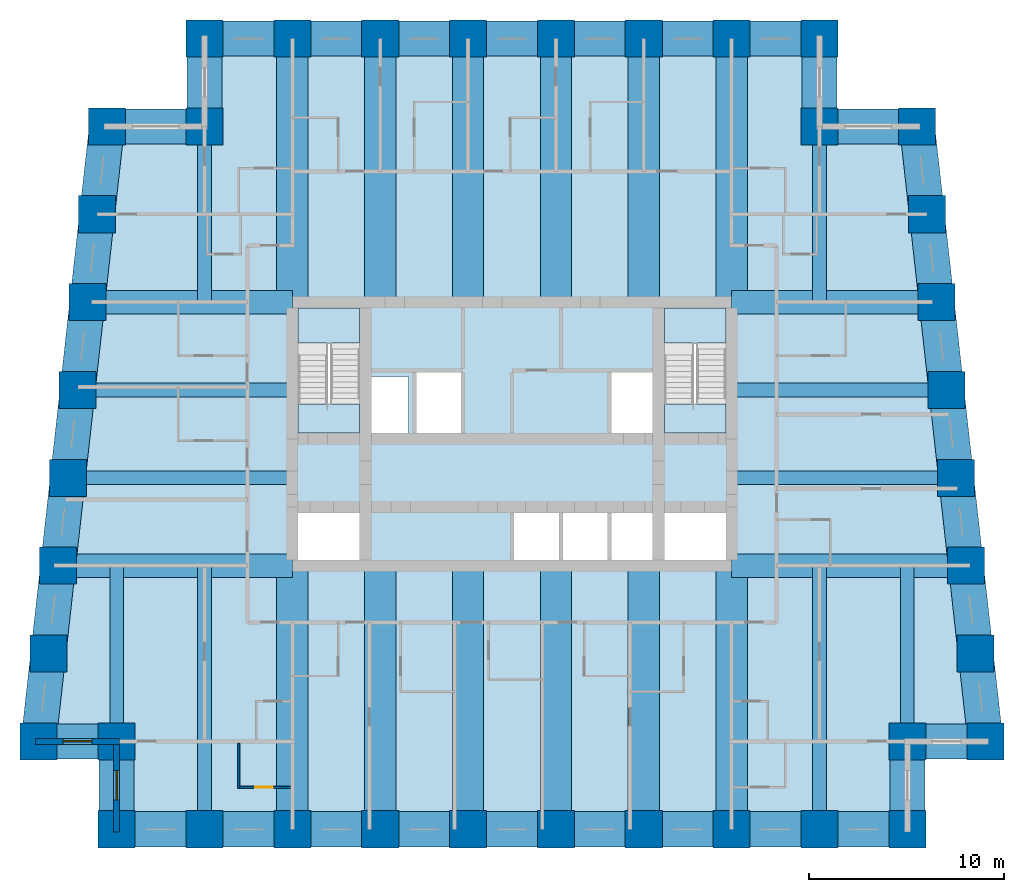
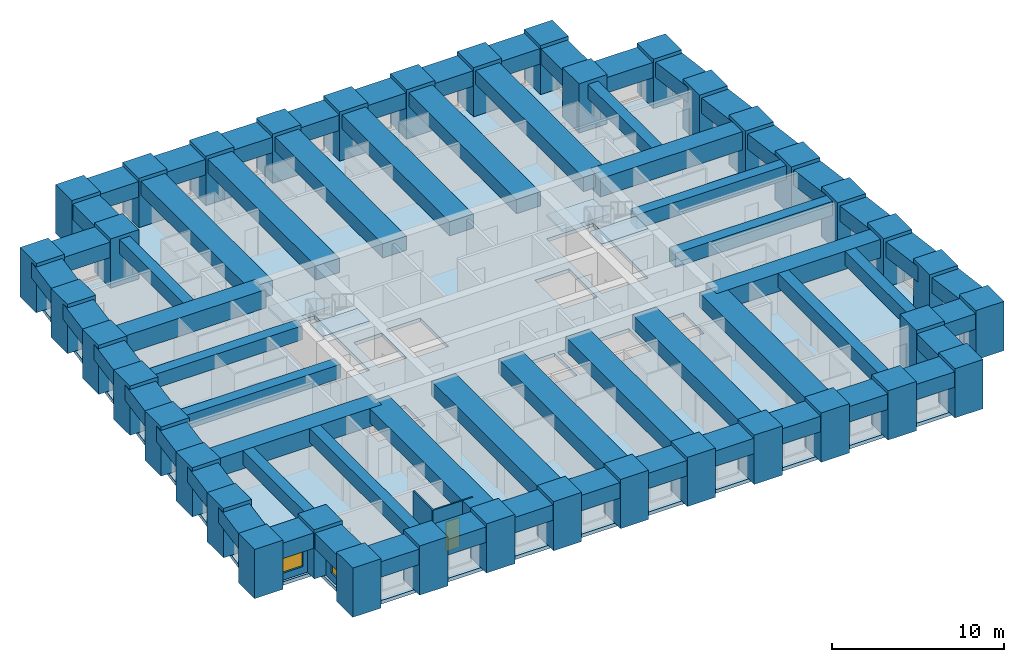
# One storey, part 1 of 8: 64 beams, 38 columns, 5 slabs, 4 walls, 2 windows, 1 door, 3 openings, 2 elements without a shape of their own.
"""IFC4 building model written with IfcOpenShell, lengths in metres."""

from ifc_helpers import new_model, si_unit, direction, frame, frame_2d, origin, origin_2d, place, context, subcontext, project, spatial, polyline, rectangle, outline, extrude, material, layer, layer_set, material_profile, profile_set, type_object, element, fill, aggregate, save


model = new_model("IFC4")

# Units and contexts
model_context = context("Model", 3, precision=1e-05, world=origin(), true_north=direction((0.0, 1.0)))
body_context = subcontext(model_context, "Body", "Model", "MODEL_VIEW")
ifc_project = project(units=[si_unit("LENGTHUNIT", "METRE"), si_unit("AREAUNIT", "SQUARE_METRE"), si_unit("VOLUMEUNIT", "CUBIC_METRE"), si_unit("PLANEANGLEUNIT", "RADIAN"), si_unit("MASSUNIT", "GRAM", prefix="KILO")], contexts=[model_context])

# Site, building, storey
site_placement = place(None, origin())
site = spatial("IfcSite", under=ifc_project, at=site_placement, CompositionType="ELEMENT")
building_placement = place(site_placement, origin())
building = spatial("IfcBuilding", under=site, at=building_placement, Name="Kilele Tower Hotel", CompositionType="ELEMENT")
storey_placement = place(building_placement, frame((0.0, 0.0, 131.89990234375)))
storey = spatial("IfcBuildingStorey", under=building, at=storey_placement, Name="L34", CompositionType="ELEMENT", Elevation=131.89990234375)

# Columns
ifc_material_1 = material(Name="Concrete C70/85", Category="concrete")
ifc_material_profile_1 = material_profile(ifc_material_1, rectangle(XDim=1.89990234375, YDim=1.89990234375, at=origin_2d()))
ifc_profile_set_1 = profile_set([ifc_material_profile_1], Name="Concrete C70/85")
column_type = type_object("IfcColumnType", Name="Tube column RC 1900x1900 C70/85", PredefinedType="COLUMN", material=ifc_profile_set_1)
for number, where, z_axis, x_axis, name in (
    (1, (0.5, 4.5, 0.0), (0.0, 0.0, 1.0), (1.0, 0.0, 0.0), "Column TC2 L34"),
    (2, (4.5, 4.5, 0.0), (0.0, 0.0, 1.0), (1.0, 0.0, 0.0), "Column TC2 L34"),
    (3, (4.5, 0.0, 0.0), (0.0, 0.0, 1.0), (1.0, 0.0, 0.0), "Column TC2 L34"),
    (4, (9.0, 0.0, 0.0), (0.0, 0.0, 1.0), (1.0, 0.0, 0.0), "Column TC2 L34"),
    (5, (13.5, 0.0, 0.0), (0.0, 0.0, 1.0), (1.0, 0.0, 0.0), "Column TC2 L34"),
    (6, (18.0, 0.0, 0.0), (0.0, 0.0, 1.0), (1.0, 0.0, 0.0), "Column TC2 L34"),
    (7, (22.5, 0.0, 0.0), (0.0, 0.0, 1.0), (1.0, 0.0, 0.0), "Column TC2 L34"),
    (8, (27.0, 0.0, 0.0), (0.0, 0.0, 1.0), (1.0, 0.0, 0.0), "Column TC2 L34"),
    (9, (31.5, 0.0, 0.0), (0.0, 0.0, 1.0), (1.0, 0.0, 0.0), "Column TC2 L34"),
    (10, (36.0, 0.0, 0.0), (0.0, 0.0, 1.0), (1.0, 0.0, 0.0), "Column TC2 L34"),
    (11, (40.5, 0.0, 0.0), (0.0, 0.0, 1.0), (1.0, 0.0, 0.0), "Column TC2 L34"),
    (12, (45.0, 0.0, 0.0), (0.0, 0.0, 1.0), (1.0, 0.0, 0.0), "Column TC2 L34"),
    (13, (45.0, 4.5, 0.0), (0.0, 0.0, 1.0), (1.0, 0.0, 0.0), "Column TC2 L34"),
    (14, (49.0, 4.5, 0.0), (0.0, 0.0, 1.0), (1.0, 0.0, 0.0), "Column TC2 L34"),
    (15, (48.5, 9.0, 0.0), (0.0, 0.0, 1.0), (1.0, 0.0, 0.0), "Column TC2 L34"),
    (16, (48.0, 13.5, 0.0), (0.0, 0.0, 1.0), (1.0, 0.0, 0.0), "Column TC2 L34"),
    (17, (47.5, 18.0, 0.0), (0.0, 0.0, 1.0), (1.0, 0.0, 0.0), "Column TC2 L34"),
    (18, (47.0, 22.5, 0.0), (0.0, 0.0, 1.0), (1.0, 0.0, 0.0), "Column TC2 L34"),
    (19, (46.5, 27.0, 0.0), (0.0, 0.0, 1.0), (1.0, 0.0, 0.0), "Column TC2 L34"),
    (20, (46.0, 31.5, 0.0), (0.0, 0.0, 1.0), (1.0, 0.0, 0.0), "Column TC2 L34"),
    (21, (45.5, 36.0, 0.0), (0.0, 0.0, 1.0), (1.0, 0.0, 0.0), "Column TC2 L34"),
    (22, (40.5, 36.0, 0.0), (0.0, 0.0, 1.0), (1.0, 0.0, 0.0), "Column TC2 L34"),
    (23, (40.5, 40.5, 0.0), (0.0, 0.0, 1.0), (1.0, 0.0, 0.0), "Column TC2 L34"),
    (24, (36.0, 40.5, 0.0), (0.0, 0.0, 1.0), (1.0, 0.0, 0.0), "Column TC2 L34"),
    (25, (31.5, 40.5, 0.0), (0.0, 0.0, 1.0), (1.0, 0.0, 0.0), "Column TC2 L34"),
    (26, (27.0, 40.5, 0.0), (0.0, 0.0, 1.0), (1.0, 0.0, 0.0), "Column TC2 L34"),
    (27, (22.5, 40.5, 0.0), (0.0, 0.0, 1.0), (1.0, 0.0, 0.0), "Column TC2 L34"),
    (28, (18.0, 40.5, 0.0), (0.0, 0.0, 1.0), (1.0, 0.0, 0.0), "Column TC2 L34"),
    (29, (13.5, 40.5, 0.0), (0.0, 0.0, 1.0), (1.0, 0.0, 0.0), "Column TC2 L34"),
    (30, (9.0, 40.5, 0.0), (0.0, 0.0, 1.0), (1.0, 0.0, 0.0), "Column TC2 L34"),
    (31, (9.0, 36.0, 0.0), (0.0, 0.0, 1.0), (1.0, 0.0, 0.0), "Column TC2 L34"),
    (32, (4.0, 36.0, 0.0), (0.0, 0.0, 1.0), (1.0, 0.0, 0.0), "Column TC2 L34"),
    (33, (3.5, 31.5, 0.0), (0.0, 0.0, 1.0), (1.0, 0.0, 0.0), "Column TC2 L34"),
    (34, (3.0, 27.0, 0.0), (0.0, 0.0, 1.0), (1.0, 0.0, 0.0), "Column TC2 L34"),
    (35, (2.5, 22.5, 0.0), (0.0, 0.0, 1.0), (1.0, 0.0, 0.0), "Column TC2 L34"),
    (36, (2.0, 18.0, 0.0), (0.0, 0.0, 1.0), (1.0, 0.0, 0.0), "Column TC2 L34"),
    (37, (1.5, 13.5, 0.0), (0.0, 0.0, 1.0), (1.0, 0.0, 0.0), "Column TC2 L34"),
    (38, (1.0, 9.0, 0.0), (0.0, 0.0, 1.0), (1.0, 0.0, 0.0), "Column TC2 L34"),
):
    element("IfcColumn", number, at=place(storey_placement, frame(where, z_axis=z_axis, x_axis=x_axis)), inside=storey, type_object=column_type, Name=name, PredefinedType="COLUMN", context=body_context, shape_type="SweptSolid", body=[
        extrude(rectangle(XDim=1.89990234375, YDim=1.89990234375, at=origin_2d()), origin(), (0.0, 0.0, 1.0), 3.5),
    ])

# Beams
ifc_material_2 = material(Name="Concrete C60/75", Category="concrete")
ifc_material_profile_2 = material_profile(ifc_material_2, rectangle(XDim=1.60009765625, YDim=1.0, at=origin_2d()))
ifc_profile_set_2 = profile_set([ifc_material_profile_2], Name="Concrete C60/75")
beam_type_1 = type_object("IfcBeamType", Name="Beam RC 1600x1000 C60/75", PredefinedType="BEAM", material=ifc_profile_set_2)
for number, where, z_axis, x_axis, name in (
    (39, (13.5, 0.0, 2.75), (0.0, 1.0, 0.0), (-1.0, 0.0, 0.0), "Beam BC1 level L35"),
    (40, (18.0, 0.0, 2.75), (0.0, 1.0, 0.0), (-1.0, 0.0, 0.0), "Beam BC1 level L35"),
    (41, (22.5, 0.0, 2.75), (0.0, 1.0, 0.0), (-1.0, 0.0, 0.0), "Beam BC1 level L35"),
    (42, (27.0, 0.0, 2.75), (0.0, 1.0, 0.0), (-1.0, 0.0, 0.0), "Beam BC1 level L35"),
    (43, (31.5, 0.0, 2.75), (0.0, 1.0, 0.0), (-1.0, 0.0, 0.0), "Beam BC1 level L35"),
    (44, (36.0, 0.0, 2.75), (0.0, 1.0, 0.0), (-1.0, 0.0, 0.0), "Beam BC1 level L35"),
    (45, (36.0, 40.5, 2.75), (0.0, -1.0, 0.0), (1.0, 0.0, 0.0), "Beam BC1 level L35"),
    (46, (31.5, 40.5, 2.75), (0.0, -1.0, 0.0), (1.0, 0.0, 0.0), "Beam BC1 level L35"),
    (47, (27.0, 40.5, 2.75), (0.0, -1.0, 0.0), (1.0, 0.0, 0.0), "Beam BC1 level L35"),
    (48, (22.5, 40.5, 2.75), (0.0, -1.0, 0.0), (1.0, 0.0, 0.0), "Beam BC1 level L35"),
    (49, (18.0, 40.5, 2.75), (0.0, -1.0, 0.0), (1.0, 0.0, 0.0), "Beam BC1 level L35"),
    (50, (13.5, 40.5, 2.75), (0.0, -1.0, 0.0), (1.0, 0.0, 0.0), "Beam BC1 level L35"),
):
    element("IfcBeam", number, at=place(storey_placement, frame(where, z_axis=z_axis, x_axis=x_axis)), inside=storey, type_object=beam_type_1, Name=name, PredefinedType="BEAM", context=body_context, shape_type="SweptSolid", body=[
        extrude(rectangle(XDim=1.60009765625, YDim=1.0, at=origin_2d()), origin(), (0.0, 0.0, 1.0), 13.5),
    ])
ifc_material_3 = material(Name="Concrete C60/75", Category="concrete")
ifc_material_profile_3 = material_profile(ifc_material_3, rectangle(XDim=0.699951171875, YDim=1.0, at=origin_2d()))
ifc_profile_set_3 = profile_set([ifc_material_profile_3], Name="Concrete C60/75")
beam_type_2 = type_object("IfcBeamType", Name="Beam RC 700x1000 C60/75", PredefinedType="BEAM", material=ifc_profile_set_3)
for number, where, z_axis, x_axis, name in (
    (51, (9.0, 0.0, 2.75), (0.0, 1.0, 0.0), (-1.0, 0.0, 0.0), "Beam B4 level L35"),
    (52, (40.5, 0.0, 2.75), (0.0, 1.0, 0.0), (-1.0, 0.0, 0.0), "Beam B4 level L35"),
):
    element("IfcBeam", number, at=place(storey_placement, frame(where, z_axis=z_axis, x_axis=x_axis)), inside=storey, type_object=beam_type_2, Name=name, PredefinedType="BEAM", context=body_context, shape_type="SweptSolid", body=[
        extrude(rectangle(XDim=0.699951171875, YDim=1.0, at=origin_2d()), origin(), (0.0, 0.0, 1.0), 13.5),
    ])
ifc_material_4 = material(Name="Concrete C60/75", Category="concrete")
ifc_material_profile_4 = material_profile(ifc_material_4, rectangle(XDim=0.699951171875, YDim=1.0, at=origin_2d()))
ifc_profile_set_4 = profile_set([ifc_material_profile_4], Name="Concrete C60/75")
beam_type_3 = type_object("IfcBeamType", Name="Beam RC 700x1000 C60/75 mid span", PredefinedType="BEAM", material=ifc_profile_set_4)
for number, where, z_axis, x_axis, name in (
    (53, (4.5, 4.5, 2.75), (0.0, 1.0, 0.0), (-1.0, 0.0, 0.0), "Beam B5 level L35"),
    (54, (45.0, 4.5, 2.75), (0.0, 1.0, 0.0), (-1.0, 0.0, 0.0), "Beam B5 level L35"),
):
    element("IfcBeam", number, at=place(storey_placement, frame(where, z_axis=z_axis, x_axis=x_axis)), inside=storey, type_object=beam_type_3, Name=name, PredefinedType="BEAM", context=body_context, shape_type="SweptSolid", body=[
        extrude(rectangle(XDim=0.699951171875, YDim=1.0, at=origin_2d()), origin(), (0.0, 0.0, 1.0), 9.0),
    ])
beam_1_placement = place(storey_placement, frame((47.5, 18.0, 2.75), z_axis=(-1.0, 0.0, 0.0), x_axis=(0.0, -1.0, 0.0)))
element("IfcBeam", 55, at=beam_1_placement, inside=storey, type_object=beam_type_3, Name="Beam B5 level L35", PredefinedType="BEAM", context=body_context, shape_type="SweptSolid", body=[
    extrude(rectangle(XDim=0.699951171875, YDim=1.0, at=origin_2d()), origin(), (0.0, 0.0, 1.0), 11.5),
])
beam_2_placement = place(storey_placement, frame((47.0, 22.5, 2.75), z_axis=(-1.0, 0.0, 0.0), x_axis=(0.0, -1.0, 0.0)))
element("IfcBeam", 56, at=beam_2_placement, inside=storey, type_object=beam_type_3, Name="Beam B5 level L35", PredefinedType="BEAM", context=body_context, shape_type="SweptSolid", body=[
    extrude(rectangle(XDim=0.699951171875, YDim=1.0, at=origin_2d()), origin(), (0.0, 0.0, 1.0), 11.0),
])
for number, where, z_axis, x_axis, name in (
    (57, (40.5, 36.0, 2.75), (0.0, -1.0, 0.0), (1.0, 0.0, 0.0), "Beam B5 level L35"),
    (58, (9.0, 36.0, 2.75), (0.0, -1.0, 0.0), (1.0, 0.0, 0.0), "Beam B5 level L35"),
):
    element("IfcBeam", number, at=place(storey_placement, frame(where, z_axis=z_axis, x_axis=x_axis)), inside=storey, type_object=beam_type_3, Name=name, PredefinedType="BEAM", context=body_context, shape_type="SweptSolid", body=[
        extrude(rectangle(XDim=0.699951171875, YDim=1.0, at=origin_2d()), origin(), (0.0, 0.0, 1.0), 9.0),
    ])
beam_3_placement = place(storey_placement, frame((2.5, 22.5, 2.75), z_axis=(1.0, 0.0, 0.0), x_axis=(0.0, 1.0, 0.0)))
element("IfcBeam", 59, at=beam_3_placement, inside=storey, type_object=beam_type_3, Name="Beam B5 level L35", PredefinedType="BEAM", context=body_context, shape_type="SweptSolid", body=[
    extrude(rectangle(XDim=0.699951171875, YDim=1.0, at=origin_2d()), origin(), (0.0, 0.0, 1.0), 11.0),
])
beam_4_placement = place(storey_placement, frame((2.0, 18.0, 2.75), z_axis=(1.0, 0.0, 0.0), x_axis=(0.0, 1.0, 0.0)))
element("IfcBeam", 60, at=beam_4_placement, inside=storey, type_object=beam_type_3, Name="Beam B5 level L35", PredefinedType="BEAM", context=body_context, shape_type="SweptSolid", body=[
    extrude(rectangle(XDim=0.699951171875, YDim=1.0, at=origin_2d()), origin(), (0.0, 0.0, 1.0), 11.5),
])
ifc_material_5 = material(Name="Concrete C60/75", Category="concrete")
ifc_material_profile_5 = material_profile(ifc_material_5, rectangle(XDim=1.199951171875, YDim=1.300048828125, at=origin_2d()))
ifc_profile_set_5 = profile_set([ifc_material_profile_5], Name="Concrete C60/75")
beam_type_4 = type_object("IfcBeamType", Name="Girder RC 1200x1300 C60/75", PredefinedType="BEAM", material=ifc_profile_set_5)
for number, where, z_axis, x_axis, name in (
    (61, (48.0, 13.5, 2.60009765625), (-1.0, 0.0, 0.0), (0.0, -1.0, 0.0), "Girder G1 level L35"),
    (62, (1.5, 13.5, 2.60009765625), (1.0, 0.0, 0.0), (0.0, 1.0, 0.0), "Girder G1 level L35"),
):
    element("IfcBeam", number, at=place(storey_placement, frame(where, z_axis=z_axis, x_axis=x_axis)), inside=storey, type_object=beam_type_4, Name=name, PredefinedType="BEAM", context=body_context, shape_type="SweptSolid", body=[
        extrude(rectangle(XDim=1.199951171875, YDim=1.300048828125, at=origin_2d()), origin(), (0.0, 0.0, 1.0), 12.0),
    ])
ifc_material_6 = material(Name="Concrete C60/75", Category="concrete")
ifc_material_profile_6 = material_profile(ifc_material_6, rectangle(XDim=1.199951171875, YDim=1.300048828125, at=origin_2d()))
ifc_profile_set_6 = profile_set([ifc_material_profile_6], Name="Concrete C60/75")
beam_type_5 = type_object("IfcBeamType", Name="Girder RC 1200x1300 C60/75 mid span", PredefinedType="BEAM", material=ifc_profile_set_6)
for number, where, z_axis, x_axis, name in (
    (63, (46.5, 27.0, 2.60009765625), (-1.0, 0.0, 0.0), (0.0, -1.0, 0.0), "Girder G3 level L35"),
    (64, (3.0, 27.0, 2.60009765625), (1.0, 0.0, 0.0), (0.0, 1.0, 0.0), "Girder G3 level L35"),
):
    element("IfcBeam", number, at=place(storey_placement, frame(where, z_axis=z_axis, x_axis=x_axis)), inside=storey, type_object=beam_type_5, Name=name, PredefinedType="BEAM", context=body_context, shape_type="SweptSolid", body=[
        extrude(rectangle(XDim=1.199951171875, YDim=1.300048828125, at=origin_2d()), origin(), (0.0, 0.0, 1.0), 10.5),
    ])
ifc_material_7 = material(Name="Concrete C60/75", Category="concrete")
ifc_material_profile_7 = material_profile(ifc_material_7, rectangle(XDim=1.800048828125, YDim=1.10009765625, at=origin_2d()))
ifc_profile_set_7 = profile_set([ifc_material_profile_7], Name="Concrete C60/75")
beam_type_6 = type_object("IfcBeamType", Name="Spandrel RC 1800x1100 C60/75", PredefinedType="SPANDREL", material=ifc_profile_set_7)
beam_5_placement = place(storey_placement, frame((0.5, 4.5, 2.7001953125), z_axis=(1.0, 0.0, 0.0), x_axis=(0.0, 1.0, 0.0)))
element("IfcBeam", 65, at=beam_5_placement, inside=storey, type_object=beam_type_6, Name="Spandrel SP4 level L35", PredefinedType="SPANDREL", context=body_context, shape_type="SweptSolid", body=[
    extrude(rectangle(XDim=1.800048828125, YDim=1.10009765625, at=origin_2d()), origin(), (0.0, 0.0, 1.0), 4.0),
])
for number, where, z_axis, x_axis, name in (
    (66, (4.5, 4.5, 2.7001953125), (0.0, -1.0, 0.0), (1.0, 0.0, 0.0), "Spandrel SP4 level L35"),
    (67, (4.5, 0.0, 2.7001953125), (1.0, 0.0, 0.0), (0.0, 1.0, 0.0), "Spandrel SP4 level L35"),
    (68, (9.0, 0.0, 2.7001953125), (1.0, 0.0, 0.0), (0.0, 1.0, 0.0), "Spandrel SP4 level L35"),
    (69, (13.5, 0.0, 2.7001953125), (1.0, 0.0, 0.0), (0.0, 1.0, 0.0), "Spandrel SP4 level L35"),
    (70, (18.0, 0.0, 2.7001953125), (1.0, 0.0, 0.0), (0.0, 1.0, 0.0), "Spandrel SP4 level L35"),
    (71, (22.5, 0.0, 2.7001953125), (1.0, 0.0, 0.0), (0.0, 1.0, 0.0), "Spandrel SP4 level L35"),
    (72, (27.0, 0.0, 2.7001953125), (1.0, 0.0, 0.0), (0.0, 1.0, 0.0), "Spandrel SP4 level L35"),
    (73, (31.5, 0.0, 2.7001953125), (1.0, 0.0, 0.0), (0.0, 1.0, 0.0), "Spandrel SP4 level L35"),
    (74, (36.0, 0.0, 2.7001953125), (1.0, 0.0, 0.0), (0.0, 1.0, 0.0), "Spandrel SP4 level L35"),
    (75, (40.5, 0.0, 2.7001953125), (1.0, 0.0, 0.0), (0.0, 1.0, 0.0), "Spandrel SP4 level L35"),
    (76, (45.0, 0.0, 2.7001953125), (0.0, 1.0, 0.0), (-1.0, 0.0, 0.0), "Spandrel SP4 level L35"),
):
    element("IfcBeam", number, at=place(storey_placement, frame(where, z_axis=z_axis, x_axis=x_axis)), inside=storey, type_object=beam_type_6, Name=name, PredefinedType="SPANDREL", context=body_context, shape_type="SweptSolid", body=[
        extrude(rectangle(XDim=1.800048828125, YDim=1.10009765625, at=origin_2d()), origin(), (0.0, 0.0, 1.0), 4.5),
    ])
beam_6_placement = place(storey_placement, frame((45.0, 4.5, 2.7001953125), z_axis=(1.0, 0.0, 0.0), x_axis=(0.0, 1.0, 0.0)))
element("IfcBeam", 77, at=beam_6_placement, inside=storey, type_object=beam_type_6, Name="Spandrel SP4 level L35", PredefinedType="SPANDREL", context=body_context, shape_type="SweptSolid", body=[
    extrude(rectangle(XDim=1.800048828125, YDim=1.10009765625, at=origin_2d()), origin(), (0.0, 0.0, 1.0), 4.0),
])
for number, where, z_axis, x_axis, name in (
    (78, (49.0, 4.5, 2.7001953125), (-0.110431526075, 0.993883734674, 0.0), (-0.993883734674, -0.110431526075, 0.0), "Spandrel SP4 level L35"),
    (79, (48.5, 9.0, 2.7001953125), (-0.110431526075, 0.993883734674, 0.0), (-0.993883734674, -0.110431526075, 0.0), "Spandrel SP4 level L35"),
    (80, (48.0, 13.5, 2.7001953125), (-0.110431526075, 0.993883734674, 0.0), (-0.993883734674, -0.110431526075, 0.0), "Spandrel SP4 level L35"),
    (81, (47.5, 18.0, 2.7001953125), (-0.110431526075, 0.993883734674, 0.0), (-0.993883734674, -0.110431526075, 0.0), "Spandrel SP4 level L35"),
    (82, (47.0, 22.5, 2.7001953125), (-0.110431526075, 0.993883734674, 0.0), (-0.993883734674, -0.110431526075, 0.0), "Spandrel SP4 level L35"),
    (83, (46.5, 27.0, 2.7001953125), (-0.110431526075, 0.993883734674, 0.0), (-0.993883734674, -0.110431526075, 0.0), "Spandrel SP4 level L35"),
    (84, (46.0, 31.5, 2.7001953125), (-0.110431526075, 0.993883734674, 0.0), (-0.993883734674, -0.110431526075, 0.0), "Spandrel SP4 level L35"),
):
    element("IfcBeam", number, at=place(storey_placement, frame(where, z_axis=z_axis, x_axis=x_axis)), inside=storey, type_object=beam_type_6, Name=name, PredefinedType="SPANDREL", context=body_context, shape_type="SweptSolid", body=[
        extrude(rectangle(XDim=1.800048828125, YDim=1.10009765625, at=origin_2d()), origin(), (0.0, 0.0, 1.0), 4.527587890625),
    ])
beam_7_placement = place(storey_placement, frame((45.5, 36.0, 2.7001953125), z_axis=(-1.0, 0.0, 0.0), x_axis=(0.0, -1.0, 0.0)))
element("IfcBeam", 85, at=beam_7_placement, inside=storey, type_object=beam_type_6, Name="Spandrel SP4 level L35", PredefinedType="SPANDREL", context=body_context, shape_type="SweptSolid", body=[
    extrude(rectangle(XDim=1.800048828125, YDim=1.10009765625, at=origin_2d()), origin(), (0.0, 0.0, 1.0), 5.0),
])
for number, where, z_axis, x_axis, name in (
    (86, (40.5, 36.0, 2.7001953125), (0.0, 1.0, 0.0), (-1.0, 0.0, 0.0), "Spandrel SP4 level L35"),
    (87, (40.5, 40.5, 2.7001953125), (-1.0, 0.0, 0.0), (0.0, -1.0, 0.0), "Spandrel SP4 level L35"),
    (88, (36.0, 40.5, 2.7001953125), (-1.0, 0.0, 0.0), (0.0, -1.0, 0.0), "Spandrel SP4 level L35"),
    (89, (31.5, 40.5, 2.7001953125), (-1.0, 0.0, 0.0), (0.0, -1.0, 0.0), "Spandrel SP4 level L35"),
    (90, (27.0, 40.5, 2.7001953125), (-1.0, 0.0, 0.0), (0.0, -1.0, 0.0), "Spandrel SP4 level L35"),
    (91, (22.5, 40.5, 2.7001953125), (-1.0, 0.0, 0.0), (0.0, -1.0, 0.0), "Spandrel SP4 level L35"),
    (92, (18.0, 40.5, 2.7001953125), (-1.0, 0.0, 0.0), (0.0, -1.0, 0.0), "Spandrel SP4 level L35"),
    (93, (13.5, 40.5, 2.7001953125), (-1.0, 0.0, 0.0), (0.0, -1.0, 0.0), "Spandrel SP4 level L35"),
    (94, (9.0, 40.5, 2.7001953125), (0.0, -1.0, 0.0), (1.0, 0.0, 0.0), "Spandrel SP4 level L35"),
):
    element("IfcBeam", number, at=place(storey_placement, frame(where, z_axis=z_axis, x_axis=x_axis)), inside=storey, type_object=beam_type_6, Name=name, PredefinedType="SPANDREL", context=body_context, shape_type="SweptSolid", body=[
        extrude(rectangle(XDim=1.800048828125, YDim=1.10009765625, at=origin_2d()), origin(), (0.0, 0.0, 1.0), 4.5),
    ])
beam_8_placement = place(storey_placement, frame((9.0, 36.0, 2.7001953125), z_axis=(-1.0, 0.0, 0.0), x_axis=(0.0, -1.0, 0.0)))
element("IfcBeam", 95, at=beam_8_placement, inside=storey, type_object=beam_type_6, Name="Spandrel SP4 level L35", PredefinedType="SPANDREL", context=body_context, shape_type="SweptSolid", body=[
    extrude(rectangle(XDim=1.800048828125, YDim=1.10009765625, at=origin_2d()), origin(), (0.0, 0.0, 1.0), 5.0),
])
for number, where, z_axis, x_axis, name in (
    (96, (4.0, 36.0, 2.7001953125), (-0.110431526075, -0.993883734674, 0.0), (0.993883734674, -0.110431526075, 0.0), "Spandrel SP4 level L35"),
    (97, (3.5, 31.5, 2.7001953125), (-0.110431526075, -0.993883734674, 0.0), (0.993883734674, -0.110431526075, 0.0), "Spandrel SP4 level L35"),
    (98, (3.0, 27.0, 2.7001953125), (-0.110431526075, -0.993883734674, 0.0), (0.993883734674, -0.110431526075, 0.0), "Spandrel SP4 level L35"),
    (99, (2.5, 22.5, 2.7001953125), (-0.110431526075, -0.993883734674, 0.0), (0.993883734674, -0.110431526075, 0.0), "Spandrel SP4 level L35"),
    (100, (2.0, 18.0, 2.7001953125), (-0.110431526075, -0.993883734674, 0.0), (0.993883734674, -0.110431526075, 0.0), "Spandrel SP4 level L35"),
    (101, (1.5, 13.5, 2.7001953125), (-0.110431526075, -0.993883734674, 0.0), (0.993883734674, -0.110431526075, 0.0), "Spandrel SP4 level L35"),
    (102, (1.0, 9.0, 2.7001953125), (-0.110431526075, -0.993883734674, 0.0), (0.993883734674, -0.110431526075, 0.0), "Spandrel SP4 level L35"),
):
    element("IfcBeam", number, at=place(storey_placement, frame(where, z_axis=z_axis, x_axis=x_axis)), inside=storey, type_object=beam_type_6, Name=name, PredefinedType="SPANDREL", context=body_context, shape_type="SweptSolid", body=[
        extrude(rectangle(XDim=1.800048828125, YDim=1.10009765625, at=origin_2d()), origin(), (0.0, 0.0, 1.0), 4.527587890625),
    ])

# Slab
ifc_material_8 = material(Name="Concrete C60/75", Category="concrete")
ifc_layer_1 = layer(ifc_material_8, 0.25)
ifc_layer_set_1 = layer_set([ifc_layer_1], Name="Concrete C60/75")
slab_type_1 = type_object("IfcSlabType", Name="Floor slab 250", PredefinedType="FLOOR", material=ifc_layer_set_1)
slab_1_placement = place(storey_placement, frame((0.0, 0.0, -0.25)))
element("IfcSlab", 103, at=slab_1_placement, inside=storey, type_object=slab_type_1, Name="Floor slab L34", PredefinedType="FLOOR", context=body_context, shape_type="SweptSolid", body=[
    extrude(outline(polyline([(8.699951171875, 36.300048828125), (8.699951171875, 40.800048828125), (40.800048828125, 40.800048828125), (40.800048828125, 36.300048828125), (45.7685546875, 36.300048828125), (49.335205078125, 4.199951171875), (45.300048828125, 4.199951171875), (45.300048828125, -0.300048828125), (4.199951171875, -0.300048828125), (4.199951171875, 4.199951171875), (0.164794921875, 4.199951171875), (3.7314453125, 36.300048828125), (8.699951171875, 36.300048828125)]), holes=[polyline([(16.949951171875, 16.199951171875), (13.800048828125, 16.199951171875), (13.800048828125, 13.800048828125), (16.949951171875, 13.800048828125), (16.949951171875, 16.199951171875)]), polyline([(35.699951171875, 16.199951171875), (32.550048828125, 16.199951171875), (32.550048828125, 13.800048828125), (35.699951171875, 13.800048828125), (35.699951171875, 16.199951171875)]), polyline([(27.14990234375, 16.39990234375), (24.85009765625, 16.39990234375), (24.85009765625, 13.800048828125), (27.14990234375, 13.800048828125), (27.14990234375, 16.39990234375)]), polyline([(29.64990234375, 13.800048828125), (29.64990234375, 16.39990234375), (27.35009765625, 16.39990234375), (27.35009765625, 13.800048828125), (29.64990234375, 13.800048828125)]), polyline([(32.14990234375, 13.800048828125), (32.14990234375, 16.39990234375), (29.85009765625, 16.39990234375), (29.85009765625, 13.800048828125), (32.14990234375, 13.800048828125)]), polyline([(19.449951171875, 23.199951171875), (17.550048828125, 23.199951171875), (17.550048828125, 20.300048828125), (19.449951171875, 20.300048828125), (19.449951171875, 23.199951171875)]), polyline([(22.14990234375, 23.39990234375), (19.85009765625, 23.39990234375), (19.85009765625, 20.10009765625), (22.14990234375, 20.10009765625), (22.14990234375, 23.39990234375)]), polyline([(32.14990234375, 23.39990234375), (29.85009765625, 23.39990234375), (29.85009765625, 20.10009765625), (32.14990234375, 20.10009765625), (32.14990234375, 23.39990234375)]), polyline([(16.949951171875, 20.300048828125), (16.949951171875, 26.699951171875), (13.800048828125, 26.699951171875), (13.800048828125, 20.300048828125), (16.949951171875, 20.300048828125)]), polyline([(35.699951171875, 20.300048828125), (35.699951171875, 26.699951171875), (32.550048828125, 26.699951171875), (32.550048828125, 20.300048828125), (35.699951171875, 20.300048828125)])]), origin(), (0.0, 0.0, 1.0), 0.25),
])

# Stair, slabs
ifc_material_9 = material(Name="Precast concrete C40/50", Category="concrete")
stair_type = type_object("IfcStairType", Name="Stair 1475 x 3500", PredefinedType="HALF_TURN_STAIR", material=ifc_material_9)
stair_1_placement = place(storey_placement, origin())
stair_1 = element("IfcStair", 104, at=stair_1_placement, inside=storey, type_object=stair_type, Name="Stair 1 L34", PredefinedType="HALF_TURN_STAIR")
ifc_material_10 = material(Name="Precast concrete C40/50", Category="concrete")
ifc_layer_2 = layer(ifc_material_10, 0.199951171875)
ifc_layer_set_2 = layer_set([ifc_layer_2], Name="Precast concrete C40/50")
slab_type_2 = type_object("IfcSlabType", Name="Stair landing 200", PredefinedType="LANDING", material=ifc_layer_set_2)
slab_2_placement = place(storey_placement, frame((0.0, 0.0, 1.550048828125)))
slab_2 = element("IfcSlab", 105, at=slab_2_placement, type_object=slab_type_2, Name="ST1 landing 1", PredefinedType="LANDING", context=body_context, shape_type="SweptSolid", body=[
    extrude(outline(polyline([(13.800048828125, 24.89501953125), (16.949951171875, 24.89501953125), (16.949951171875, 26.699951171875), (13.800048828125, 26.699951171875), (13.800048828125, 24.89501953125)])), origin(), (0.0, 0.0, 1.0), 0.199951171875),
])
slab_3_placement = place(storey_placement, frame((0.0, 0.0, 3.300048828125)))
slab_3 = element("IfcSlab", 106, at=slab_3_placement, type_object=slab_type_2, Name="ST1 landing 2", PredefinedType="LANDING", context=body_context, shape_type="SweptSolid", body=[
    extrude(outline(polyline([(13.800048828125, 20.300048828125), (16.949951171875, 20.300048828125), (16.949951171875, 21.77490234375), (13.800048828125, 21.77490234375), (13.800048828125, 20.300048828125)])), origin(), (0.0, 0.0, 1.0), 0.199951171875),
])
aggregate(stair_1, [slab_2, slab_3])

stair_2_placement = place(storey_placement, origin())
stair_2 = element("IfcStair", 107, at=stair_2_placement, inside=storey, type_object=stair_type, Name="Stair 2 L34", PredefinedType="HALF_TURN_STAIR")
slab_4_placement = place(storey_placement, frame((0.0, 0.0, 1.550048828125)))
slab_4 = element("IfcSlab", 108, at=slab_4_placement, type_object=slab_type_2, Name="ST2 landing 1", PredefinedType="LANDING", context=body_context, shape_type="SweptSolid", body=[
    extrude(outline(polyline([(32.550048828125, 24.89501953125), (35.699951171875, 24.89501953125), (35.699951171875, 26.699951171875), (32.550048828125, 26.699951171875), (32.550048828125, 24.89501953125)])), origin(), (0.0, 0.0, 1.0), 0.199951171875),
])
slab_5_placement = place(storey_placement, frame((0.0, 0.0, 3.300048828125)))
slab_5 = element("IfcSlab", 109, at=slab_5_placement, type_object=slab_type_2, Name="ST2 landing 2", PredefinedType="LANDING", context=body_context, shape_type="SweptSolid", body=[
    extrude(outline(polyline([(32.550048828125, 20.300048828125), (35.699951171875, 20.300048828125), (35.699951171875, 21.77490234375), (32.550048828125, 21.77490234375), (32.550048828125, 20.300048828125)])), origin(), (0.0, 0.0, 1.0), 0.199951171875),
])
aggregate(stair_2, [slab_4, slab_5])

# Wall
ifc_material_11 = material(Name="Moisture-resistant board")
ifc_layer_3 = layer(ifc_material_11, 0.10009765625)
ifc_layer_set_3 = layer_set([ifc_layer_3], Name="Moisture-resistant board")
wall_type_1 = type_object("IfcWallType", Name="Bathroom partition 100", PredefinedType="PLUMBINGWALL", material=ifc_layer_set_3)
wall_1_placement = place(storey_placement, frame((10.75, 4.39990234375, 0.0), z_axis=(0.0, 0.0, 1.0), x_axis=(0.0, -1.0, 0.0)))
element("IfcWall", 110, at=wall_1_placement, inside=storey, type_object=wall_type_1, Name="Bathroom partition 100 L34", PredefinedType="PLUMBINGWALL", context=body_context, shape_type="SweptSolid", body=[
    extrude(rectangle(XDim=2.2998046875, YDim=0.10009765625, at=frame_2d((1.14990234375, 0.0))), origin(), (0.0, 0.0, 1.0), 3.25),
])

# Wall, opening, door
wall_2_placement = place(storey_placement, frame((13.39990234375, 2.14990234375, 0.0), z_axis=(0.0, 0.0, 1.0), x_axis=(-1.0, 0.0, 0.0)))
wall_2 = element("IfcWall", 111, at=wall_2_placement, inside=storey, type_object=wall_type_1, Name="Bathroom partition 100 L34", PredefinedType="PLUMBINGWALL", context=body_context, shape_type="SweptSolid", body=[
    extrude(rectangle(XDim=2.699951171875, YDim=0.10009765625, at=frame_2d((1.35009765625, 0.0))), origin(), (0.0, 0.0, 1.0), 3.25),
])
opening_1_placement = place(wall_2_placement, frame((0.89990234375, 0.0, 0.0)))
opening_1 = element("IfcOpeningElement", 112, at=opening_1_placement, cuts=wall_2, Name="Opening D2A", PredefinedType="OPENING", context=body_context, shape_type="SweptSolid", body=[
    extrude(rectangle(XDim=0.89990234375, YDim=2.10009765625, at=frame_2d((0.449951171875, 1.050048828125))), frame((0.0, 0.06005859375, 0.0), z_axis=(0.0, -1.0, 0.0), x_axis=(1.0, 0.0, 0.0)), (0.0, 0.0, 1.0), 0.1201171875),
])
ifc_material_12 = material(Name="Timber door leaf in hardwood frame", Category="wood")
door_type = type_object("IfcDoorType", Name="Bathroom door 900", OperationType="SINGLE_SWING_LEFT", PredefinedType="DOOR", material=ifc_material_12)
door_placement = place(opening_1_placement, origin())
door = element("IfcDoor", 113, at=door_placement, inside=storey, type_object=door_type, Name="Bathroom door 3419B", OperationType="SINGLE_SWING_LEFT", OverallHeight=2.10009765625, OverallWidth=0.89990234375, PredefinedType="DOOR", context=body_context, shape_type="SweptSolid", body=[
    extrude(rectangle(XDim=0.89990234375, YDim=2.10009765625, at=frame_2d((0.449951171875, 1.050048828125))), frame((0.0, 0.02490234375, 0.0), z_axis=(0.0, -1.0, 0.0), x_axis=(1.0, 0.0, 0.0)), (0.0, 0.0, 1.0), 0.050048828125),
])
fill(opening_1, door)

# Wall, opening, window
ifc_material_13 = material(Name="Concrete C40/50 precast", Category="concrete")
ifc_layer_4 = layer(ifc_material_13, 0.260009765625, Name="Precast backing", Category="LoadBearing")
ifc_material_14 = material(Name="Reconstituted stone finish", Category="masonry")
ifc_layer_5 = layer(ifc_material_14, 0.0400390625, Name="Face mix", Category="Finish")
ifc_layer_set_4 = layer_set([ifc_layer_4, ifc_layer_5], Name="Precast concrete C40/50, reconstituted stone finish")
wall_type_2 = type_object("IfcWallType", Name="Precast stone facade wall 300", PredefinedType="STANDARD", material=ifc_layer_set_4)
wall_3_placement = place(storey_placement, frame((0.35009765625, 4.5, 0.0), z_axis=(0.0, 0.0, 1.0), x_axis=(1.0, 0.0, 0.0)))
wall_3 = element("IfcWall", 114, at=wall_3_placement, inside=storey, type_object=wall_type_2, Name="Facade wall L34 edge 1", PredefinedType="STANDARD", context=body_context, shape_type="SweptSolid", body=[
    extrude(rectangle(XDim=4.2998046875, YDim=0.300048828125, at=frame_2d((2.14990234375, 0.0))), origin(), (0.0, 0.0, 1.0), 2.150146484375),
])
opening_2_placement = place(wall_3_placement, frame((1.39990234375, 0.0, 0.5)))
opening_2 = element("IfcOpeningElement", 115, at=opening_2_placement, cuts=wall_3, Name="Opening W2", PredefinedType="OPENING", context=body_context, shape_type="SweptSolid", body=[
    extrude(rectangle(XDim=1.5, YDim=1.5, at=frame_2d((0.75, 0.75))), frame((0.0, 0.159912109375, 0.0), z_axis=(0.0, -1.0, 0.0), x_axis=(1.0, 0.0, 0.0)), (0.0, 0.0, 1.0), 0.320068359375),
])
ifc_material_15 = material(Name="Aluminium frame, clear double glazing", Category="aluminium")
window_type = type_object("IfcWindowType", Name="Window W2 1500 x 1500", PartitioningType="SINGLE_PANEL", PredefinedType="WINDOW", material=ifc_material_15)
window_1_placement = place(opening_2_placement, origin())
window_1 = element("IfcWindow", 116, at=window_1_placement, inside=storey, type_object=window_type, Name="Window L34", OverallHeight=1.5, OverallWidth=1.5, PartitioningType="SINGLE_PANEL", PredefinedType="WINDOW", context=body_context, shape_type="SweptSolid", body=[
    extrude(rectangle(XDim=1.5, YDim=1.5, at=frame_2d((0.75, 0.75))), frame((0.0, 0.030029296875, 0.0), z_axis=(0.0, -1.0, 0.0), x_axis=(1.0, 0.0, 0.0)), (0.0, 0.0, 1.0), 0.06005859375),
])
fill(opening_2, window_1)

wall_4_placement = place(storey_placement, frame((4.5, 4.64990234375, 0.0), z_axis=(0.0, 0.0, 1.0), x_axis=(0.0, -1.0, 0.0)))
wall_4 = element("IfcWall", 117, at=wall_4_placement, inside=storey, type_object=wall_type_2, Name="Facade wall L34 edge 2", PredefinedType="STANDARD", context=body_context, shape_type="SweptSolid", body=[
    extrude(rectangle(XDim=4.7998046875, YDim=0.300048828125, at=frame_2d((2.39990234375, 0.0))), origin(), (0.0, 0.0, 1.0), 2.150146484375),
])
opening_3_placement = place(wall_4_placement, frame((1.64990234375, 0.0, 0.5)))
opening_3 = element("IfcOpeningElement", 118, at=opening_3_placement, cuts=wall_4, Name="Opening W2", PredefinedType="OPENING", context=body_context, shape_type="SweptSolid", body=[
    extrude(rectangle(XDim=1.5, YDim=1.5, at=frame_2d((0.75, 0.75))), frame((0.0, 0.159912109375, 0.0), z_axis=(0.0, -1.0, 0.0), x_axis=(1.0, 0.0, 0.0)), (0.0, 0.0, 1.0), 0.320068359375),
])
window_2_placement = place(opening_3_placement, origin())
window_2 = element("IfcWindow", 119, at=window_2_placement, inside=storey, type_object=window_type, Name="Window L34", OverallHeight=1.5, OverallWidth=1.5, PartitioningType="SINGLE_PANEL", PredefinedType="WINDOW", context=body_context, shape_type="SweptSolid", body=[
    extrude(rectangle(XDim=1.5, YDim=1.5, at=frame_2d((0.75, 0.75))), frame((0.0, 0.030029296875, 0.0), z_axis=(0.0, -1.0, 0.0), x_axis=(1.0, 0.0, 0.0)), (0.0, 0.0, 1.0), 0.06005859375),
])
fill(opening_3, window_2)

save(model, "model.ifc")
